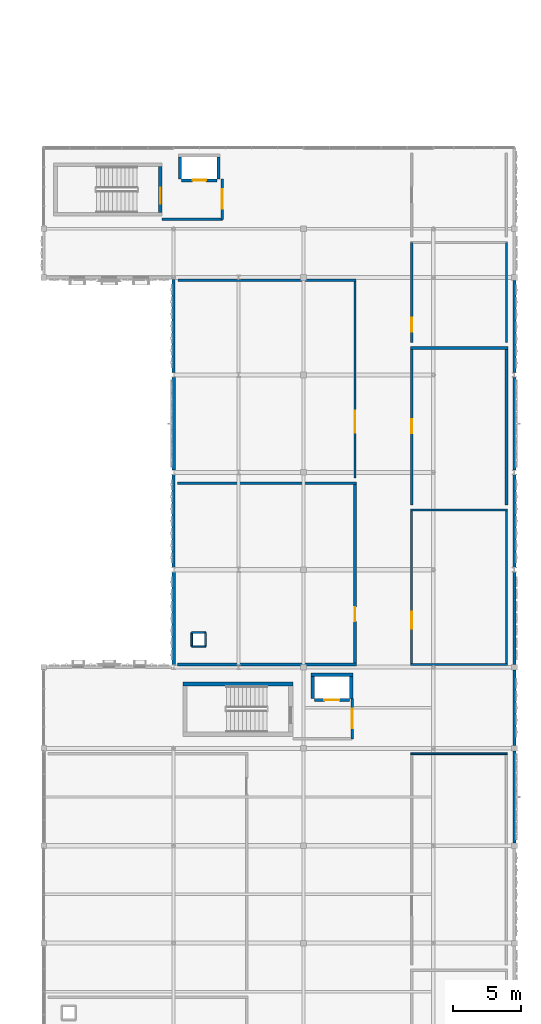
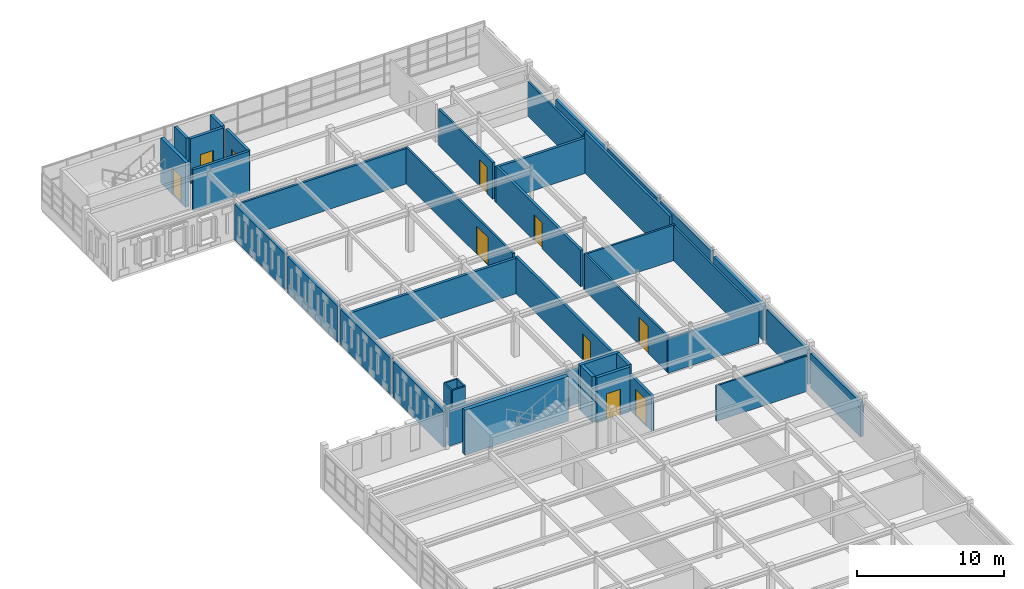
# One storey, part 30 of 46: 41 walls, 10 doors, 10 openings.
"""IFC4 building model written with IfcOpenShell, lengths in metres."""

from ifc_helpers import new_model, si_unit, direction, frame, frame_2d, origin, place, context, subcontext, project, spatial, rectangle, extrude, material, layer, layer_set, type_object, element, fill, save


model = new_model("IFC4")

# Units and contexts
model_context = context("Model", 3, precision=1e-05, world=origin(), true_north=direction((0.0, 1.0)))
body_context = subcontext(model_context, "Body", "Model", "MODEL_VIEW")
ifc_project = project(units=[si_unit("LENGTHUNIT", "METRE"), si_unit("AREAUNIT", "SQUARE_METRE"), si_unit("VOLUMEUNIT", "CUBIC_METRE"), si_unit("PLANEANGLEUNIT", "RADIAN"), si_unit("MASSUNIT", "GRAM", prefix="KILO")], contexts=[model_context])

# Site, building, storey
site_placement = place(None, origin())
site = spatial("IfcSite", under=ifc_project, at=site_placement, CompositionType="ELEMENT")
building_placement = place(site_placement, origin())
building = spatial("IfcBuilding", under=site, at=building_placement, Name="Nzembalo Square Collegiate School", CompositionType="ELEMENT")
storey_placement = place(building_placement, frame((0.0, 0.0, 17.340087890625)))
storey = spatial("IfcBuildingStorey", under=building, at=storey_placement, Name="L04", CompositionType="ELEMENT", Elevation=17.340087890625)

# Wall
ifc_material_1 = material(Name="Concrete C40/50", Category="concrete")
ifc_layer_1 = layer(ifc_material_1, 0.320068359375, Name="Concrete C40/50")
ifc_layer_set_1 = layer_set([ifc_layer_1], Name="Concrete C40/50")
wall_type_1 = type_object("IfcWallType", Name="SW01", PredefinedType="SHEAR", material=ifc_layer_set_1)
wall_1_placement = place(storey_placement, frame((141.080078125, 49.159912109375, 0.0), z_axis=(0.0, 0.0, 1.0), x_axis=(1.0, 0.0, 0.0)))
element("IfcWall", 1, at=wall_1_placement, inside=storey, type_object=wall_type_1, Name="Core C5 stair shear wall N L04", PredefinedType="SHEAR", context=body_context, shape_type="SweptSolid", body=[
    extrude(rectangle(XDim=8.139892578125, YDim=0.320068359375, at=frame_2d((4.06982421875, 0.0))), origin(), (0.0, 0.0, 1.0), 3.739990234375),
])

# Wall, opening, door
ifc_material_2 = material(Name="Concrete C35/45", Category="concrete")
ifc_layer_2 = layer(ifc_material_2, 0.260009765625, Name="Concrete C35/45")
ifc_layer_set_2 = layer_set([ifc_layer_2], Name="Concrete C35/45")
wall_type_2 = type_object("IfcWallType", Name="SW04", PredefinedType="SHEAR", material=ifc_layer_set_2)
wall_2_placement = place(storey_placement, frame((139.429931640625, 84.0, 0.0), z_axis=(0.0, 0.0, 1.0), x_axis=(0.0, 1.0, 0.0)))
wall_2 = element("IfcWall", 2, at=wall_2_placement, inside=storey, type_object=wall_type_2, Name="Core C4 stair shear wall E L04", PredefinedType="SHEAR", context=body_context, shape_type="SweptSolid", body=[
    extrude(rectangle(XDim=3.39990234375, YDim=0.260009765625, at=frame_2d((1.699951171875, 0.0))), origin(), (0.0, 0.0, 1.0), 3.739990234375),
])
opening_1_placement = place(wall_2_placement, frame((0.64990234375, 0.0, 0.0)))
opening_1 = element("IfcOpeningElement", 3, at=opening_1_placement, cuts=wall_2, Name="Opening FD-040", PredefinedType="OPENING", context=body_context, shape_type="SweptSolid", body=[
    extrude(rectangle(XDim=1.199951171875, YDim=2.199951171875, at=frame_2d((0.60009765625, 1.10009765625))), frame((0.0, 0.14013671875, 0.0), z_axis=(0.0, -1.0, 0.0), x_axis=(1.0, 0.0, 0.0)), (0.0, 0.0, 1.0), 0.280029296875),
])
ifc_material_3 = material(Name="Fire-rated steel acoustic door", Category="steel")
door_type_1 = type_object("IfcDoorType", Name="FD01", OperationType="NOTDEFINED", PredefinedType="DOOR", material=ifc_material_3)
door_1_placement = place(opening_1_placement, origin())
door_1 = element("IfcDoor", 4, at=door_1_placement, inside=storey, type_object=door_type_1, Name="Stair fire door FD-040", OperationType="SINGLE_SWING_RIGHT", OverallHeight=2.199951171875, OverallWidth=1.199951171875, PredefinedType="DOOR", context=body_context, shape_type="SweptSolid", body=[
    extrude(rectangle(XDim=1.199951171875, YDim=2.199951171875, at=frame_2d((0.60009765625, 1.10009765625))), frame((0.0, 0.02490234375, 0.0), z_axis=(0.0, -1.0, 0.0), x_axis=(1.0, 0.0, 0.0)), (0.0, 0.0, 1.0), 0.050048828125),
])
fill(opening_1, door_1)

# Walls
ifc_material_4 = material(Name="Concrete C35/45", Category="concrete")
ifc_layer_3 = layer(ifc_material_4, 0.25, Name="Concrete C35/45")
ifc_layer_set_3 = layer_set([ifc_layer_3], Name="Concrete C35/45")
wall_type_3 = type_object("IfcWallType", Name="SW05", PredefinedType="SHEAR", material=ifc_layer_set_3)
for number, where, z_axis, x_axis, name in (
    (5, (150.675048828125, 48.10009765625, 0.0), (0.0, 0.0, 1.0), (0.0, 1.0, 0.0), "Lift LF4 shaft wall W L04"),
    (6, (153.52490234375, 48.10009765625, 0.0), (0.0, 0.0, 1.0), (0.0, 1.0, 0.0), "Lift LF4 shaft wall E L04"),
):
    element("IfcWall", number, at=place(storey_placement, frame(where, z_axis=z_axis, x_axis=x_axis)), inside=storey, type_object=wall_type_3, Name=name, PredefinedType="SHEAR", context=body_context, shape_type="SweptSolid", body=[
        extrude(rectangle(XDim=1.599853515625, YDim=0.25, at=frame_2d((0.7998046875, 0.0))), origin(), (0.0, 0.0, 1.0), 3.739990234375),
    ])
wall_3_placement = place(storey_placement, frame((150.550048828125, 49.824951171875, 0.0), z_axis=(0.0, 0.0, 1.0), x_axis=(1.0, 0.0, 0.0)))
element("IfcWall", 7, at=wall_3_placement, inside=storey, type_object=wall_type_3, Name="Lift LF4 shaft wall N L04", PredefinedType="SHEAR", context=body_context, shape_type="SweptSolid", body=[
    extrude(rectangle(XDim=3.099853515625, YDim=0.25, at=frame_2d((1.5498046875, 0.0))), origin(), (0.0, 0.0, 1.0), 3.739990234375),
])

# Wall, opening, door
wall_4_placement = place(storey_placement, frame((150.800048828125, 47.97509765625, 0.0), z_axis=(0.0, 0.0, 1.0), x_axis=(1.0, 0.0, 0.0)))
wall_4 = element("IfcWall", 8, at=wall_4_placement, inside=storey, type_object=wall_type_3, Name="Lift LF4 landing front wall L04", PredefinedType="SHEAR", context=body_context, shape_type="SweptSolid", body=[
    extrude(rectangle(XDim=2.599853515625, YDim=0.25, at=frame_2d((1.2998046875, 0.0))), origin(), (0.0, 0.0, 1.0), 3.739990234375),
])
opening_2_placement = place(wall_4_placement, frame((0.75, 0.0, 0.0)))
opening_2 = element("IfcOpeningElement", 9, at=opening_2_placement, cuts=wall_4, Name="Opening LD-LF4-L04", PredefinedType="OPENING", context=body_context, shape_type="SweptSolid", body=[
    extrude(rectangle(XDim=1.10009765625, YDim=2.14990234375, at=frame_2d((0.550048828125, 1.074951171875))), frame((0.0, 0.135009765625, 0.0), z_axis=(0.0, -1.0, 0.0), x_axis=(1.0, 0.0, 0.0)), (0.0, 0.0, 1.0), 0.27001953125),
])
ifc_material_5 = material(Name="Stainless-steel sliding landing door", Category="steel")
door_type_2 = type_object("IfcDoorType", Name="LD01", OperationType="DOUBLE_DOOR_SLIDING", PredefinedType="DOOR", material=ifc_material_5)
door_2_placement = place(opening_2_placement, origin())
door_2 = element("IfcDoor", 10, at=door_2_placement, inside=storey, type_object=door_type_2, Name="Sliding lift landing door LD-LF4-L04", OperationType="DOUBLE_DOOR_SLIDING", OverallHeight=2.14990234375, OverallWidth=1.10009765625, PredefinedType="DOOR", context=body_context, shape_type="SweptSolid", body=[
    extrude(rectangle(XDim=1.10009765625, YDim=2.14990234375, at=frame_2d((0.550048828125, 1.074951171875))), frame((0.0, 0.02490234375, 0.0), z_axis=(0.0, -1.0, 0.0), x_axis=(1.0, 0.0, 0.0)), (0.0, 0.0, 1.0), 0.050048828125),
])
fill(opening_2, door_2)

# Walls
ifc_material_6 = material(Name="Concrete C35/45", Category="concrete")
ifc_layer_4 = layer(ifc_material_6, 0.219970703125, Name="Concrete C35/45")
ifc_layer_set_4 = layer_set([ifc_layer_4], Name="Concrete C35/45")
wall_type_4 = type_object("IfcWallType", Name="SW08", PredefinedType="SHEAR", material=ifc_layer_set_4)
for number, where, z_axis, x_axis, name in (
    (11, (140.889892578125, 86.5, 0.0), (0.0, 0.0, 1.0), (0.0, 1.0, 0.0), "Lift LF3 shaft wall W L04"),
    (12, (143.7099609375, 86.5, 0.0), (0.0, 0.0, 1.0), (0.0, 1.0, 0.0), "Lift LF3 shaft wall E L04"),
):
    element("IfcWall", number, at=place(storey_placement, frame(where, z_axis=z_axis, x_axis=x_axis)), inside=storey, type_object=wall_type_4, Name=name, PredefinedType="SHEAR", context=body_context, shape_type="SweptSolid", body=[
        extrude(rectangle(XDim=1.60009765625, YDim=0.219970703125, at=frame_2d((0.800048828125, 0.0))), origin(), (0.0, 0.0, 1.0), 3.739990234375),
    ])

# Wall, opening, door
wall_5_placement = place(storey_placement, frame((141.0, 86.389892578125, 0.0), z_axis=(0.0, 0.0, 1.0), x_axis=(1.0, 0.0, 0.0)))
wall_5 = element("IfcWall", 13, at=wall_5_placement, inside=storey, type_object=wall_type_4, Name="Lift LF3 landing front wall L04", PredefinedType="SHEAR", context=body_context, shape_type="SweptSolid", body=[
    extrude(rectangle(XDim=2.60009765625, YDim=0.219970703125, at=frame_2d((1.300048828125, 0.0))), origin(), (0.0, 0.0, 1.0), 3.739990234375),
])
opening_3_placement = place(wall_5_placement, frame((0.800048828125, 0.0, 0.0)))
opening_3 = element("IfcOpeningElement", 14, at=opening_3_placement, cuts=wall_5, Name="Opening LD-LF3-L04", PredefinedType="OPENING", context=body_context, shape_type="SweptSolid", body=[
    extrude(rectangle(XDim=1.0, YDim=2.14990234375, at=frame_2d((0.5, 1.074951171875))), frame((0.0, 0.1201171875, 0.0), z_axis=(0.0, -1.0, 0.0), x_axis=(1.0, 0.0, 0.0)), (0.0, 0.0, 1.0), 0.239990234375),
])
ifc_material_7 = material(Name="Stainless-steel sliding landing door", Category="steel")
door_type_3 = type_object("IfcDoorType", Name="LD02", OperationType="DOUBLE_DOOR_SLIDING", PredefinedType="DOOR", material=ifc_material_7)
door_3_placement = place(opening_3_placement, origin())
door_3 = element("IfcDoor", 15, at=door_3_placement, inside=storey, type_object=door_type_3, Name="Sliding lift landing door LD-LF3-L04", OperationType="DOUBLE_DOOR_SLIDING", OverallHeight=2.14990234375, OverallWidth=1.0, PredefinedType="DOOR", context=body_context, shape_type="SweptSolid", body=[
    extrude(rectangle(XDim=1.0, YDim=2.14990234375, at=frame_2d((0.5, 1.074951171875))), frame((0.0, 0.02490234375, 0.0), z_axis=(0.0, -1.0, 0.0), x_axis=(1.0, 0.0, 0.0)), (0.0, 0.0, 1.0), 0.050048828125),
])
fill(opening_3, door_3)

# Walls
ifc_material_8 = material(Name="CLT CL24", Category="wood")
ifc_layer_5 = layer(ifc_material_8, 0.2451171875, Name="CLT CL24")
ifc_layer_set_5 = layer_set([ifc_layer_5], Name="CLT CL24")
wall_type_5 = type_object("IfcWallType", Name="W07", PredefinedType="SOLIDWALL", material=ifc_layer_set_5)
for number, where, z_axis, x_axis, name in (
    (16, (140.39990234375, 50.572021484375, 0.0), (0.0, 0.0, 1.0), (0.0, 1.0, 0.0), "Exterior wall W07 L04"),
    (17, (140.39990234375, 64.971923828125, 0.0), (0.0, 0.0, 1.0), (0.0, 1.0, 0.0), "Exterior wall W07 L04"),
):
    element("IfcWall", number, at=place(storey_placement, frame(where, z_axis=z_axis, x_axis=x_axis)), inside=storey, type_object=wall_type_5, Name=name, PredefinedType="SOLIDWALL", context=body_context, shape_type="SweptSolid", body=[
        extrude(rectangle(XDim=6.85595703125, YDim=0.2451171875, at=frame_2d((3.427978515625, 0.0))), origin(), (0.0, 0.0, 1.0), 2.97900390625),
    ])
wall_6_placement = place(storey_placement, frame((165.60009765625, 37.412109375, 0.0), z_axis=(0.0, 0.0, 1.0), x_axis=(0.0, 1.0, 0.0)))
element("IfcWall", 18, at=wall_6_placement, inside=storey, type_object=wall_type_5, Name="Exterior wall W07 L04", PredefinedType="SOLIDWALL", context=body_context, shape_type="SweptSolid", body=[
    extrude(rectangle(XDim=6.77587890625, YDim=0.2451171875, at=frame_2d((3.387939453125, 0.0))), origin(), (0.0, 0.0, 1.0), 2.868896484375),
])
wall_7_placement = place(storey_placement, frame((165.60009765625, 50.612060546875, 0.0), z_axis=(0.0, 0.0, 1.0), x_axis=(0.0, 1.0, 0.0)))
element("IfcWall", 19, at=wall_7_placement, inside=storey, type_object=wall_type_5, Name="Exterior wall W07 L04", PredefinedType="SOLIDWALL", context=body_context, shape_type="SweptSolid", body=[
    extrude(rectangle(XDim=6.81591796875, YDim=0.2451171875, at=frame_2d((3.407958984375, 0.0))), origin(), (0.0, 0.0, 1.0), 2.868896484375),
])
wall_8_placement = place(storey_placement, frame((165.60009765625, 64.971923828125, 0.0), z_axis=(0.0, 0.0, 1.0), x_axis=(0.0, 1.0, 0.0)))
element("IfcWall", 20, at=wall_8_placement, inside=storey, type_object=wall_type_5, Name="Exterior wall W07 L04", PredefinedType="SOLIDWALL", context=body_context, shape_type="SweptSolid", body=[
    extrude(rectangle(XDim=6.85595703125, YDim=0.2451171875, at=frame_2d((3.427978515625, 0.0))), origin(), (0.0, 0.0, 1.0), 3.12890625),
])
ifc_material_9 = material(Name="CLT CL24", Category="wood")
ifc_layer_6 = layer(ifc_material_9, 0.215087890625, Name="CLT CL24")
ifc_layer_set_6 = layer_set([ifc_layer_6], Name="CLT CL24")
wall_type_6 = type_object("IfcWallType", Name="W08", PredefinedType="SOLIDWALL", material=ifc_layer_set_6)
wall_9_placement = place(storey_placement, frame((140.39990234375, 57.77197265625, 0.0), z_axis=(0.0, 0.0, 1.0), x_axis=(0.0, 1.0, 0.0)))
element("IfcWall", 21, at=wall_9_placement, inside=storey, type_object=wall_type_6, Name="Exterior wall W08 L04", PredefinedType="SOLIDWALL", context=body_context, shape_type="SweptSolid", body=[
    extrude(rectangle(XDim=6.85595703125, YDim=0.215087890625, at=frame_2d((3.427978515625, 0.0))), origin(), (0.0, 0.0, 1.0), 2.97900390625),
])
wall_10_placement = place(storey_placement, frame((140.39990234375, 72.172119140625, 0.0), z_axis=(0.0, 0.0, 1.0), x_axis=(0.0, 1.0, 0.0)))
element("IfcWall", 22, at=wall_10_placement, inside=storey, type_object=wall_type_6, Name="Exterior wall W08 L04", PredefinedType="SOLIDWALL", context=body_context, shape_type="SweptSolid", body=[
    extrude(rectangle(XDim=6.889404296875, YDim=0.215087890625, at=frame_2d((3.44482421875, 0.0))), origin(), (0.0, 0.0, 1.0), 2.948974609375),
])
wall_11_placement = place(storey_placement, frame((165.60009765625, 44.612060546875, 0.0), z_axis=(0.0, 0.0, 1.0), x_axis=(0.0, 1.0, 0.0)))
element("IfcWall", 23, at=wall_11_placement, inside=storey, type_object=wall_type_6, Name="Exterior wall W08 L04", PredefinedType="SOLIDWALL", context=body_context, shape_type="SweptSolid", body=[
    extrude(rectangle(XDim=5.575927734375, YDim=0.215087890625, at=frame_2d((2.7880859375, 0.0))), origin(), (0.0, 0.0, 1.0), 2.868896484375),
])
wall_12_placement = place(storey_placement, frame((165.60009765625, 57.77197265625, 0.0), z_axis=(0.0, 0.0, 1.0), x_axis=(0.0, 1.0, 0.0)))
element("IfcWall", 24, at=wall_12_placement, inside=storey, type_object=wall_type_6, Name="Exterior wall W08 L04", PredefinedType="SOLIDWALL", context=body_context, shape_type="SweptSolid", body=[
    extrude(rectangle(XDim=6.85595703125, YDim=0.215087890625, at=frame_2d((3.427978515625, 0.0))), origin(), (0.0, 0.0, 1.0), 3.12890625),
])
wall_13_placement = place(storey_placement, frame((165.60009765625, 72.172119140625, 0.0), z_axis=(0.0, 0.0, 1.0), x_axis=(0.0, 1.0, 0.0)))
element("IfcWall", 25, at=wall_13_placement, inside=storey, type_object=wall_type_6, Name="Exterior wall W08 L04", PredefinedType="SOLIDWALL", context=body_context, shape_type="SweptSolid", body=[
    extrude(rectangle(XDim=6.81591796875, YDim=0.215087890625, at=frame_2d((3.407958984375, 0.0))), origin(), (0.0, 0.0, 1.0), 2.868896484375),
])

# Wall, opening, door
ifc_material_10 = material(Name="Concrete blockwork C25/30", Category="masonry")
ifc_layer_7 = layer(ifc_material_10, 0.199951171875, Name="Concrete blockwork C25/30")
ifc_layer_set_7 = layer_set([ifc_layer_7], Name="Concrete blockwork C25/30")
wall_type_7 = type_object("IfcWallType", Name="W11", PredefinedType="PARTITIONING", material=ifc_layer_set_7)
wall_14_placement = place(storey_placement, frame((144.0, 83.5, 0.0), z_axis=(0.0, 0.0, 1.0), x_axis=(0.0, 1.0, 0.0)))
wall_14 = element("IfcWall", 26, at=wall_14_placement, inside=storey, type_object=wall_type_7, Name="Core C4 EI 60 lobby wall E L04", PredefinedType="PARTITIONING", context=body_context, shape_type="SweptSolid", body=[
    extrude(rectangle(XDim=3.0, YDim=0.199951171875, at=frame_2d((1.5, 0.0))), origin(), (0.0, 0.0, 1.0), 3.413818359375),
])
opening_4_placement = place(wall_14_placement, frame((0.77490234375, 0.0, 0.0)))
opening_4 = element("IfcOpeningElement", 27, at=opening_4_placement, cuts=wall_14, Name="Opening FD-041", PredefinedType="OPENING", context=body_context, shape_type="SweptSolid", body=[
    extrude(rectangle(XDim=1.449951171875, YDim=2.199951171875, at=frame_2d((0.72509765625, 1.10009765625))), frame((0.0, 0.10986328125, 0.0), z_axis=(0.0, -1.0, 0.0), x_axis=(1.0, 0.0, 0.0)), (0.0, 0.0, 1.0), 0.219970703125),
])
ifc_material_11 = material(Name="Fire-rated double lobby door")
door_type_4 = type_object("IfcDoorType", Name="FD02", OperationType="DOUBLE_DOOR_SINGLE_SWING", PredefinedType="DOOR", material=ifc_material_11)
door_4_placement = place(opening_4_placement, frame((1.449951171875, 0.0, 0.0), z_axis=(0.0, 0.0, 1.0), x_axis=(-1.0, 0.0, 0.0)))
door_4 = element("IfcDoor", 28, at=door_4_placement, inside=storey, type_object=door_type_4, Name="Protected lobby fire door FD-041", OperationType="DOUBLE_DOOR_SINGLE_SWING", OverallHeight=2.199951171875, OverallWidth=1.449951171875, PredefinedType="DOOR", context=body_context, shape_type="SweptSolid", body=[
    extrude(rectangle(XDim=1.449951171875, YDim=2.199951171875, at=frame_2d((0.72509765625, 1.10009765625))), frame((0.0, 0.02490234375, 0.0), z_axis=(0.0, -1.0, 0.0), x_axis=(1.0, 0.0, 0.0)), (0.0, 0.0, 1.0), 0.050048828125),
])
fill(opening_4, door_4)

# Wall
wall_15_placement = place(storey_placement, frame((139.56005859375, 83.5, 0.0), z_axis=(0.0, 0.0, 1.0), x_axis=(1.0, 0.0, 0.0)))
element("IfcWall", 29, at=wall_15_placement, inside=storey, type_object=wall_type_7, Name="Core C4 EI 60 lobby wall S L04", PredefinedType="PARTITIONING", context=body_context, shape_type="SweptSolid", body=[
    extrude(rectangle(XDim=4.43994140625, YDim=0.199951171875, at=frame_2d((2.219970703125, 0.0))), origin(), (0.0, 0.0, 1.0), 3.413818359375),
])

# Wall, opening, door
wall_16_placement = place(storey_placement, frame((153.60009765625, 45.10009765625, 0.0), z_axis=(0.0, 0.0, 1.0), x_axis=(0.0, 1.0, 0.0)))
wall_16 = element("IfcWall", 30, at=wall_16_placement, inside=storey, type_object=wall_type_7, Name="Core C5 EI 60 lobby wall E L04", PredefinedType="PARTITIONING", context=body_context, shape_type="SweptSolid", body=[
    extrude(rectangle(XDim=3.0, YDim=0.199951171875, at=frame_2d((1.5, 0.0))), origin(), (0.0, 0.0, 1.0), 2.948974609375),
])
opening_5_placement = place(wall_16_placement, frame((0.77490234375, 0.0, 0.0)))
opening_5 = element("IfcOpeningElement", 31, at=opening_5_placement, cuts=wall_16, Name="Opening FD-055", PredefinedType="OPENING", context=body_context, shape_type="SweptSolid", body=[
    extrude(rectangle(XDim=1.449951171875, YDim=2.199951171875, at=frame_2d((0.72509765625, 1.10009765625))), frame((0.0, 0.10986328125, 0.0), z_axis=(0.0, -1.0, 0.0), x_axis=(1.0, 0.0, 0.0)), (0.0, 0.0, 1.0), 0.219970703125),
])
door_5_placement = place(opening_5_placement, frame((1.449951171875, 0.0, 0.0), z_axis=(0.0, 0.0, 1.0), x_axis=(-1.0, 0.0, 0.0)))
door_5 = element("IfcDoor", 32, at=door_5_placement, inside=storey, type_object=door_type_4, Name="Protected lobby fire door FD-055", OperationType="DOUBLE_DOOR_SINGLE_SWING", OverallHeight=2.199951171875, OverallWidth=1.449951171875, PredefinedType="DOOR", context=body_context, shape_type="SweptSolid", body=[
    extrude(rectangle(XDim=1.449951171875, YDim=2.199951171875, at=frame_2d((0.72509765625, 1.10009765625))), frame((0.0, 0.02490234375, 0.0), z_axis=(0.0, -1.0, 0.0), x_axis=(1.0, 0.0, 0.0)), (0.0, 0.0, 1.0), 0.050048828125),
])
fill(opening_5, door_5)

# Wall
ifc_material_12 = material(Name="Moisture-resistant acoustic stud")
ifc_layer_8 = layer(ifc_material_12, 0.1650390625, Name="Moisture-resistant acoustic stud")
ifc_layer_set_8 = layer_set([ifc_layer_8], Name="Moisture-resistant acoustic stud")
wall_type_8 = type_object("IfcWallType", Name="W15", PredefinedType="PARTITIONING", material=ifc_layer_set_8)
wall_17_placement = place(storey_placement, frame((140.717529296875, 79.0, 0.0), z_axis=(0.0, 0.0, 1.0), x_axis=(1.0, 0.0, 0.0)))
element("IfcWall", 33, at=wall_17_placement, inside=storey, type_object=wall_type_8, Name="Interior partition W15 L04-025-N", PredefinedType="PARTITIONING", context=body_context, shape_type="SweptSolid", body=[
    extrude(rectangle(XDim=13.1650390625, YDim=0.1650390625, at=frame_2d((6.58251953125, 0.0))), origin(), (0.0, 0.0, 1.0), 2.948974609375),
])

# Wall, opening, door
wall_18_placement = place(storey_placement, frame((153.800048828125, 64.39990234375, 0.0), z_axis=(0.0, 0.0, 1.0), x_axis=(0.0, 1.0, 0.0)))
wall_18 = element("IfcWall", 34, at=wall_18_placement, inside=storey, type_object=wall_type_8, Name="Interior partition W15 L04-025-E", PredefinedType="PARTITIONING", context=body_context, shape_type="SweptSolid", body=[
    extrude(rectangle(XDim=14.60009765625, YDim=0.1650390625, at=frame_2d((7.300048828125, 0.0))), origin(), (0.0, 0.0, 1.0), 3.02880859375),
])
opening_6_placement = place(wall_18_placement, frame((3.344970703125, 0.0, 0.0)))
opening_6 = element("IfcOpeningElement", 35, at=opening_6_placement, cuts=wall_18, Name="Opening D-L04-098", PredefinedType="OPENING", context=body_context, shape_type="SweptSolid", body=[
    extrude(rectangle(XDim=1.6201171875, YDim=2.320068359375, at=frame_2d((0.81005859375, 1.16015625))), frame((0.0, 0.092529296875, 0.0), z_axis=(0.0, -1.0, 0.0), x_axis=(1.0, 0.0, 0.0)), (0.0, 0.0, 1.0), 0.18505859375),
])
ifc_material_13 = material(Name="Acoustic exam studio double door")
door_type_5 = type_object("IfcDoorType", Name="D19", OperationType="DOUBLE_DOOR_SINGLE_SWING", PredefinedType="DOOR", material=ifc_material_13)
door_6_placement = place(opening_6_placement, origin())
door_6 = element("IfcDoor", 36, at=door_6_placement, inside=storey, type_object=door_type_5, Name="Interior door D-L04-098 (Upper-Secondary Literature Classroom 4B)", OperationType="DOUBLE_DOOR_SINGLE_SWING", OverallHeight=2.320068359375, OverallWidth=1.6201171875, PredefinedType="DOOR", context=body_context, shape_type="SweptSolid", body=[
    extrude(rectangle(XDim=1.6201171875, YDim=2.320068359375, at=frame_2d((0.81005859375, 1.16015625))), frame((0.0, 0.02490234375, 0.0), z_axis=(0.0, -1.0, 0.0), x_axis=(1.0, 0.0, 0.0)), (0.0, 0.0, 1.0), 0.050048828125),
])
fill(opening_6, door_6)

wall_19_placement = place(storey_placement, frame((158.0, 74.39990234375, 0.0), z_axis=(0.0, 0.0, 1.0), x_axis=(0.0, 1.0, 0.0)))
wall_19 = element("IfcWall", 37, at=wall_19_placement, inside=storey, type_object=wall_type_8, Name="Interior partition W15 L04-028-W", PredefinedType="PARTITIONING", context=body_context, shape_type="SweptSolid", body=[
    extrude(rectangle(XDim=7.400146484375, YDim=0.1650390625, at=frame_2d((3.7001953125, 0.0))), origin(), (0.0, 0.0, 1.0), 3.02880859375),
])
opening_7_placement = place(wall_19_placement, frame((0.798095703125, 0.0, 0.0)))
opening_7 = element("IfcOpeningElement", 38, at=opening_7_placement, cuts=wall_19, Name="Opening D-L04-101", PredefinedType="OPENING", context=body_context, shape_type="SweptSolid", body=[
    extrude(rectangle(XDim=1.02001953125, YDim=2.179931640625, at=frame_2d((0.510009765625, 1.08984375))), frame((0.0, 0.092529296875, 0.0), z_axis=(0.0, -1.0, 0.0), x_axis=(1.0, 0.0, 0.0)), (0.0, 0.0, 1.0), 0.18505859375),
])
ifc_material_14 = material(Name="Faculty workroom door")
door_type_6 = type_object("IfcDoorType", Name="D16", OperationType="NOTDEFINED", PredefinedType="DOOR", material=ifc_material_14)
door_7_placement = place(opening_7_placement, origin())
door_7 = element("IfcDoor", 39, at=door_7_placement, inside=storey, type_object=door_type_6, Name="Interior door D-L04-101 (Upper-School Staff Workroom L04)", OperationType="SINGLE_SWING_LEFT", OverallHeight=2.179931640625, OverallWidth=1.02001953125, PredefinedType="DOOR", context=body_context, shape_type="SweptSolid", body=[
    extrude(rectangle(XDim=1.02001953125, YDim=2.179931640625, at=frame_2d((0.510009765625, 1.08984375))), frame((0.0, 0.02490234375, 0.0), z_axis=(0.0, -1.0, 0.0), x_axis=(1.0, 0.0, 0.0)), (0.0, 0.0, 1.0), 0.050048828125),
])
fill(opening_7, door_7)

# Walls
wall_20_placement = place(storey_placement, frame((165.0, 74.39990234375, 0.0), z_axis=(0.0, 0.0, 1.0), x_axis=(0.0, 1.0, 0.0)))
element("IfcWall", 40, at=wall_20_placement, inside=storey, type_object=wall_type_8, Name="Interior partition W15 L04-028-E", PredefinedType="PARTITIONING", context=body_context, shape_type="SweptSolid", body=[
    extrude(rectangle(XDim=7.400146484375, YDim=0.1650390625, at=frame_2d((3.7001953125, 0.0))), origin(), (0.0, 0.0, 1.0), 2.868896484375),
])
ifc_material_15 = material(Name="Acoustic double-board stud")
ifc_layer_9 = layer(ifc_material_15, 0.14990234375, Name="Acoustic double-board stud")
ifc_layer_set_9 = layer_set([ifc_layer_9], Name="Acoustic double-board stud")
wall_type_9 = type_object("IfcWallType", Name="W17", PredefinedType="PARTITIONING", material=ifc_layer_set_9)
wall_21_placement = place(storey_placement, frame((157.925048828125, 50.60009765625, 0.0), z_axis=(0.0, 0.0, 1.0), x_axis=(1.0, 0.0, 0.0)))
element("IfcWall", 41, at=wall_21_placement, inside=storey, type_object=wall_type_9, Name="Interior partition W17 L04-026-S", PredefinedType="PARTITIONING", context=body_context, shape_type="SweptSolid", body=[
    extrude(rectangle(XDim=7.14990234375, YDim=0.14990234375, at=frame_2d((3.574951171875, 0.0))), origin(), (0.0, 0.0, 1.0), 2.868896484375),
])
wall_22_placement = place(storey_placement, frame((157.925048828125, 62.0, 0.0), z_axis=(0.0, 0.0, 1.0), x_axis=(1.0, 0.0, 0.0)))
element("IfcWall", 42, at=wall_22_placement, inside=storey, type_object=wall_type_9, Name="Interior partition W17 L04-026-N", PredefinedType="PARTITIONING", context=body_context, shape_type="SweptSolid", body=[
    extrude(rectangle(XDim=7.14990234375, YDim=0.14990234375, at=frame_2d((3.574951171875, 0.0))), origin(), (0.0, 0.0, 1.0), 2.948974609375),
])

# Wall, opening, door
wall_23_placement = place(storey_placement, frame((158.0, 50.60009765625, 0.0), z_axis=(0.0, 0.0, 1.0), x_axis=(0.0, 1.0, 0.0)))
wall_23 = element("IfcWall", 43, at=wall_23_placement, inside=storey, type_object=wall_type_9, Name="Interior partition W17 L04-026-W", PredefinedType="PARTITIONING", context=body_context, shape_type="SweptSolid", body=[
    extrude(rectangle(XDim=11.39990234375, YDim=0.14990234375, at=frame_2d((5.699951171875, 0.0))), origin(), (0.0, 0.0, 1.0), 3.02880859375),
])
opening_8_placement = place(wall_23_placement, frame((2.635009765625, 0.0, 0.0)))
opening_8 = element("IfcOpeningElement", 44, at=opening_8_placement, cuts=wall_23, Name="Opening D-L04-099", PredefinedType="OPENING", context=body_context, shape_type="SweptSolid", body=[
    extrude(rectangle(XDim=1.260009765625, YDim=2.260009765625, at=frame_2d((0.6298828125, 1.1298828125))), frame((0.0, 0.0849609375, 0.0), z_axis=(0.0, -1.0, 0.0), x_axis=(1.0, 0.0, 0.0)), (0.0, 0.0, 1.0), 0.169921875),
])
ifc_material_16 = material(Name="High-STC acoustic music door")
door_type_7 = type_object("IfcDoorType", Name="D20", OperationType="NOTDEFINED", PredefinedType="DOOR", material=ifc_material_16)
door_8_placement = place(opening_8_placement, origin())
door_8 = element("IfcDoor", 45, at=door_8_placement, inside=storey, type_object=door_type_7, Name="Interior door D-L04-099 (Upper-Secondary Economics Classroom 4C)", OperationType="SINGLE_SWING_LEFT", OverallHeight=2.260009765625, OverallWidth=1.260009765625, PredefinedType="DOOR", context=body_context, shape_type="SweptSolid", body=[
    extrude(rectangle(XDim=1.260009765625, YDim=2.260009765625, at=frame_2d((0.6298828125, 1.1298828125))), frame((0.0, 0.02490234375, 0.0), z_axis=(0.0, -1.0, 0.0), x_axis=(1.0, 0.0, 0.0)), (0.0, 0.0, 1.0), 0.050048828125),
])
fill(opening_8, door_8)

# Walls
wall_24_placement = place(storey_placement, frame((165.0, 50.60009765625, 0.0), z_axis=(0.0, 0.0, 1.0), x_axis=(0.0, 1.0, 0.0)))
element("IfcWall", 46, at=wall_24_placement, inside=storey, type_object=wall_type_9, Name="Interior partition W17 L04-026-E", PredefinedType="PARTITIONING", context=body_context, shape_type="SweptSolid", body=[
    extrude(rectangle(XDim=11.39990234375, YDim=0.14990234375, at=frame_2d((5.699951171875, 0.0))), origin(), (0.0, 0.0, 1.0), 2.868896484375),
])
ifc_material_17 = material(Name="Cement-board wet-room partition")
ifc_layer_10 = layer(ifc_material_17, 0.135009765625, Name="Cement-board wet-room partition")
ifc_layer_set_10 = layer_set([ifc_layer_10], Name="Cement-board wet-room partition")
wall_type_10 = type_object("IfcWallType", Name="W19", PredefinedType="PARTITIONING", material=ifc_layer_set_10)
wall_25_placement = place(storey_placement, frame((157.9326171875, 44.0, 0.0), z_axis=(0.0, 0.0, 1.0), x_axis=(1.0, 0.0, 0.0)))
element("IfcWall", 47, at=wall_25_placement, inside=storey, type_object=wall_type_10, Name="Interior partition W19 L04-034-N", PredefinedType="PARTITIONING", context=body_context, shape_type="SweptSolid", body=[
    extrude(rectangle(XDim=7.134765625, YDim=0.135009765625, at=frame_2d((3.5673828125, 0.0))), origin(), (0.0, 0.0, 1.0), 2.948974609375),
])
ifc_material_18 = material(Name="Concrete blockwork C25/30", Category="masonry")
ifc_layer_11 = layer(ifc_material_18, 0.205078125, Name="Concrete blockwork C25/30")
ifc_layer_set_11 = layer_set([ifc_layer_11], Name="Concrete blockwork C25/30")
wall_type_11 = type_object("IfcWallType", Name="W21", PredefinedType="PARTITIONING", material=ifc_layer_set_11)
for number, where, z_axis, x_axis, name in (
    (48, (140.697509765625, 50.60009765625, 0.0), (0.0, 0.0, 1.0), (1.0, 0.0, 0.0), "Interior partition W21 L04-024-S"),
    (49, (140.697509765625, 64.0, 0.0), (0.0, 0.0, 1.0), (1.0, 0.0, 0.0), "Interior partition W21 L04-024-N"),
):
    element("IfcWall", number, at=place(storey_placement, frame(where, z_axis=z_axis, x_axis=x_axis)), inside=storey, type_object=wall_type_11, Name=name, PredefinedType="PARTITIONING", context=body_context, shape_type="SweptSolid", body=[
        extrude(rectangle(XDim=13.205078125, YDim=0.205078125, at=frame_2d((6.6025390625, 0.0))), origin(), (0.0, 0.0, 1.0), 2.948974609375),
    ])

# Wall, opening, door
wall_26_placement = place(storey_placement, frame((153.800048828125, 50.60009765625, 0.0), z_axis=(0.0, 0.0, 1.0), x_axis=(0.0, 1.0, 0.0)))
wall_26 = element("IfcWall", 50, at=wall_26_placement, inside=storey, type_object=wall_type_11, Name="Interior partition W21 L04-024-E", PredefinedType="PARTITIONING", context=body_context, shape_type="SweptSolid", body=[
    extrude(rectangle(XDim=13.39990234375, YDim=0.205078125, at=frame_2d((6.699951171875, 0.0))), origin(), (0.0, 0.0, 1.0), 3.02880859375),
])
opening_9_placement = place(wall_26_placement, frame((3.1875, 0.0, 0.0)))
opening_9 = element("IfcOpeningElement", 51, at=opening_9_placement, cuts=wall_26, Name="Opening D-L04-097", PredefinedType="OPENING", context=body_context, shape_type="SweptSolid", body=[
    extrude(rectangle(XDim=1.050048828125, YDim=2.14990234375, at=frame_2d((0.52490234375, 1.074951171875))), frame((0.0, 0.112548828125, 0.0), z_axis=(0.0, -1.0, 0.0), x_axis=(1.0, 0.0, 0.0)), (0.0, 0.0, 1.0), 0.22509765625),
])
ifc_material_19 = material(Name="Fire-rated steel store door", Category="steel")
door_type_8 = type_object("IfcDoorType", Name="FD03", OperationType="NOTDEFINED", PredefinedType="DOOR", material=ifc_material_19)
door_9_placement = place(opening_9_placement, origin())
door_9 = element("IfcDoor", 52, at=door_9_placement, inside=storey, type_object=door_type_8, Name="Interior door D-L04-097 (Upper-Secondary Mathematics Classroom 4A)", OperationType="SINGLE_SWING_RIGHT", OverallHeight=2.14990234375, OverallWidth=1.050048828125, PredefinedType="DOOR", context=body_context, shape_type="SweptSolid", body=[
    extrude(rectangle(XDim=1.050048828125, YDim=2.14990234375, at=frame_2d((0.52490234375, 1.074951171875))), frame((0.0, 0.02490234375, 0.0), z_axis=(0.0, -1.0, 0.0), x_axis=(1.0, 0.0, 0.0)), (0.0, 0.0, 1.0), 0.050048828125),
])
fill(opening_9, door_9)

# Wall
wall_27_placement = place(storey_placement, frame((157.8974609375, 74.0, 0.0), z_axis=(0.0, 0.0, 1.0), x_axis=(1.0, 0.0, 0.0)))
element("IfcWall", 53, at=wall_27_placement, inside=storey, type_object=wall_type_11, Name="Interior partition W21 L04-027-N", PredefinedType="PARTITIONING", context=body_context, shape_type="SweptSolid", body=[
    extrude(rectangle(XDim=7.205078125, YDim=0.205078125, at=frame_2d((3.6025390625, 0.0))), origin(), (0.0, 0.0, 1.0), 2.948974609375),
])

# Wall, opening, door
wall_28_placement = place(storey_placement, frame((158.0, 62.39990234375, 0.0), z_axis=(0.0, 0.0, 1.0), x_axis=(0.0, 1.0, 0.0)))
wall_28 = element("IfcWall", 54, at=wall_28_placement, inside=storey, type_object=wall_type_11, Name="Interior partition W21 L04-027-W", PredefinedType="PARTITIONING", context=body_context, shape_type="SweptSolid", body=[
    extrude(rectangle(XDim=11.60009765625, YDim=0.205078125, at=frame_2d((5.800048828125, 0.0))), origin(), (0.0, 0.0, 1.0), 3.02880859375),
])
opening_10_placement = place(wall_28_placement, frame((5.27490234375, 0.0, 0.0)))
opening_10 = element("IfcOpeningElement", 55, at=opening_10_placement, cuts=wall_28, Name="Opening D-L04-100", PredefinedType="OPENING", context=body_context, shape_type="SweptSolid", body=[
    extrude(rectangle(XDim=1.050048828125, YDim=2.14990234375, at=frame_2d((0.52490234375, 1.074951171875))), frame((0.0, 0.112548828125, 0.0), z_axis=(0.0, -1.0, 0.0), x_axis=(1.0, 0.0, 0.0)), (0.0, 0.0, 1.0), 0.22509765625),
])
door_10_placement = place(opening_10_placement, origin())
door_10 = element("IfcDoor", 56, at=door_10_placement, inside=storey, type_object=door_type_8, Name="Interior door D-L04-100 (Architecture and Design Technology Studio 4D)", OperationType="SINGLE_SWING_RIGHT", OverallHeight=2.14990234375, OverallWidth=1.050048828125, PredefinedType="DOOR", context=body_context, shape_type="SweptSolid", body=[
    extrude(rectangle(XDim=1.050048828125, YDim=2.14990234375, at=frame_2d((0.52490234375, 1.074951171875))), frame((0.0, 0.02490234375, 0.0), z_axis=(0.0, -1.0, 0.0), x_axis=(1.0, 0.0, 0.0)), (0.0, 0.0, 1.0), 0.050048828125),
])
fill(opening_10, door_10)

# Walls
wall_29_placement = place(storey_placement, frame((165.0, 62.39990234375, 0.0), z_axis=(0.0, 0.0, 1.0), x_axis=(0.0, 1.0, 0.0)))
element("IfcWall", 57, at=wall_29_placement, inside=storey, type_object=wall_type_11, Name="Interior partition W21 L04-027-E", PredefinedType="PARTITIONING", context=body_context, shape_type="SweptSolid", body=[
    extrude(rectangle(XDim=11.60009765625, YDim=0.205078125, at=frame_2d((5.800048828125, 0.0))), origin(), (0.0, 0.0, 1.0), 3.413818359375),
])
ifc_material_20 = material(Name="Fire-rated shaftwall stud")
ifc_layer_12 = layer(ifc_material_20, 0.1201171875, Name="Fire-rated shaftwall stud")
ifc_layer_set_12 = layer_set([ifc_layer_12], Name="Fire-rated shaftwall stud")
wall_type_12 = type_object("IfcWallType", Name="W23", PredefinedType="PARTITIONING", material=ifc_layer_set_12)
for number, where, z_axis, x_axis, name in (
    (58, (141.739990234375, 51.93994140625, 0.0), (0.0, 0.0, 1.0), (1.0, 0.0, 0.0), "Service riser shaftwall W23-023-1"),
    (59, (142.760009765625, 51.93994140625, 0.0), (0.0, 0.0, 1.0), (0.0, 1.0, 0.0), "Service riser shaftwall W23-023-2"),
    (60, (142.760009765625, 52.9599609375, 0.0), (0.0, 0.0, 1.0), (-1.0, 0.0, 0.0), "Service riser shaftwall W23-023-3"),
    (61, (141.739990234375, 52.9599609375, 0.0), (0.0, 0.0, 1.0), (0.0, -1.0, 0.0), "Service riser shaftwall W23-023-4"),
):
    element("IfcWall", number, at=place(storey_placement, frame(where, z_axis=z_axis, x_axis=x_axis)), inside=storey, type_object=wall_type_12, Name=name, PredefinedType="PARTITIONING", context=body_context, shape_type="SweptSolid", body=[
        extrude(rectangle(XDim=1.02001953125, YDim=0.1201171875, at=frame_2d((0.510009765625, 0.0))), origin(), (0.0, 0.0, 1.0), 3.413818359375),
    ])

save(model, "model.ifc")
